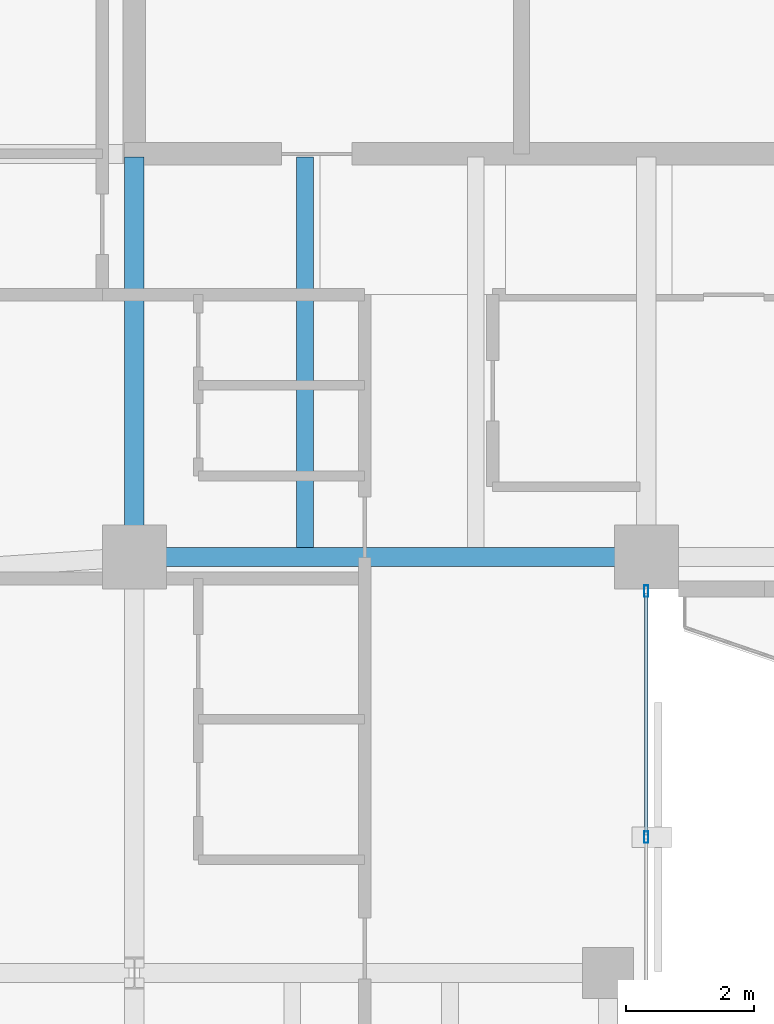
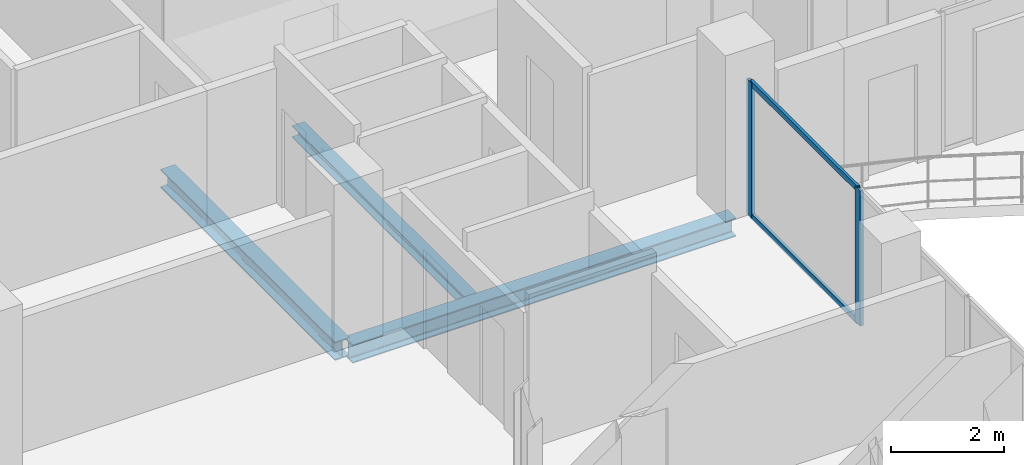
# One storey, part 10 of 23: 4 members, 3 beams, 1 element without a shape of its own.
"""IFC4 building model written with IfcOpenShell, lengths in metres."""

from ifc_helpers import new_model, si_unit, direction, frame, origin, origin_2d, place, context, subcontext, project, spatial, hollow_rectangle, i_section, extrude, material, layer, layer_set, material_profile, profile_set, type_object, element, aggregate, save


model = new_model("IFC4")

# Units and contexts
model_context = context("Model", 3, precision=1e-05, world=origin(), true_north=direction((0.0, 1.0)))
body_context = subcontext(model_context, "Body", "Model", "MODEL_VIEW")
ifc_project = project(units=[si_unit("LENGTHUNIT", "METRE"), si_unit("AREAUNIT", "SQUARE_METRE"), si_unit("VOLUMEUNIT", "CUBIC_METRE"), si_unit("PLANEANGLEUNIT", "RADIAN"), si_unit("MASSUNIT", "GRAM", prefix="KILO")], contexts=[model_context])

# Site, building, storey
site_placement = place(None, origin())
site = spatial("IfcSite", under=ifc_project, at=site_placement, CompositionType="ELEMENT")
building_placement = place(site_placement, origin())
building = spatial("IfcBuilding", under=site, at=building_placement, Name="Catumbela Crestline Tower", CompositionType="ELEMENT")
storey_placement = place(building_placement, frame((0.0, 0.0, 183.0)))
storey = spatial("IfcBuildingStorey", under=building, at=storey_placement, Name="L47", CompositionType="ELEMENT", Elevation=183.0)

# Beams
ifc_material_1 = material(Name="Structural steel S355J2", Category="steel")
ifc_material_profile_1 = material_profile(ifc_material_1, i_section(OverallWidth=0.3, OverallDepth=0.4, WebThickness=0.0135, FlangeThickness=0.024, FilletRadius=0.027, at=origin_2d()), Name="HEB 400")
ifc_profile_set_1 = profile_set([ifc_material_profile_1], Name="Structural steel S355J2")
beam_type_1 = type_object("IfcBeamType", Name="BG-HEB400", PredefinedType="BEAM", material=ifc_profile_set_1)
beam_1_placement = place(storey_placement, frame((16.08, 24.5, -0.46), z_axis=(1.0, 0.0, 0.0), x_axis=(0.0, 1.0, 0.0)))
element("IfcBeam", 1, at=beam_1_placement, inside=storey, type_object=beam_type_1, Name="L47 Beam BM-L47-S03", PredefinedType="BEAM", context=body_context, shape_type="SweptSolid", body=[
    extrude(i_section(OverallWidth=0.3, OverallDepth=0.4, WebThickness=0.0135, FlangeThickness=0.024, FilletRadius=0.027, at=origin_2d()), origin(), (0.0, 0.0, 1.0), 7.84),
])
beam_2_placement = place(storey_placement, frame((16.0, 24.58, -0.46), z_axis=(0.0, 1.0, 0.0), x_axis=(-1.0, 0.0, 0.0)))
element("IfcBeam", 2, at=beam_2_placement, inside=storey, type_object=beam_type_1, Name="L47 Beam BM-L47-SNS17", PredefinedType="BEAM", context=body_context, shape_type="SweptSolid", body=[
    extrude(i_section(OverallWidth=0.3, OverallDepth=0.4, WebThickness=0.0135, FlangeThickness=0.024, FilletRadius=0.027, at=origin_2d()), origin(), (0.0, 0.0, 1.0), 6.17),
])
ifc_material_profile_2 = material_profile(ifc_material_1, i_section(OverallWidth=0.26, OverallDepth=0.25, WebThickness=0.0075, FlangeThickness=0.0125, FilletRadius=0.024, at=origin_2d()), Name="HEA 260")
ifc_profile_set_2 = profile_set([ifc_material_profile_2], Name="Structural steel S355J2")
beam_type_2 = type_object("IfcBeamType", Name="BJ-HEA260", PredefinedType="JOIST", material=ifc_profile_set_2)
beam_3_placement = place(storey_placement, frame((18.667, 24.647, -0.385), z_axis=(0.0, 1.0, 0.0), x_axis=(-1.0, 0.0, 0.0)))
element("IfcBeam", 3, at=beam_3_placement, inside=storey, type_object=beam_type_2, Name="L47 Joist JS-L47-SP26", PredefinedType="JOIST", context=body_context, shape_type="SweptSolid", body=[
    extrude(i_section(OverallWidth=0.26, OverallDepth=0.25, WebThickness=0.0075, FlangeThickness=0.0125, FilletRadius=0.024, at=origin_2d()), origin(), (0.0, 0.0, 1.0), 6.103),
])

# Curtain wall, members
ifc_material_2 = material(Name="Aluminium alloy AW-6060-T66", Category="aluminium")
ifc_layer = layer(ifc_material_2, 0.18, Name="Aluminium alloy AW-6060-T66")
ifc_layer_set = layer_set([ifc_layer], Name="Aluminium alloy AW-6060-T66")
curtain_wall_type = type_object("IfcCurtainWallType", Name="CWU-Z3", PredefinedType="USERDEFINED", material=ifc_layer_set)
curtain_wall_placement = place(storey_placement, origin())
curtain_wall = element("IfcCurtainWall", 4, at=curtain_wall_placement, inside=storey, type_object=curtain_wall_type, Name="L47 Unitised Curtain Wall CW-L47-E2S1", ObjectType="UNITISED", PredefinedType="USERDEFINED")
ifc_material_profile_3 = material_profile(ifc_material_2, hollow_rectangle(XDim=0.065, YDim=0.18, WallThickness=0.004, at=origin_2d()), Name="ALU 180x65x4")
ifc_profile_set_3 = profile_set([ifc_material_profile_3], Name="Aluminium alloy AW-6060-T66")
member_type_1 = type_object("IfcMemberType", Name="MUL-180X65", PredefinedType="MULLION", material=ifc_profile_set_3)
member_1_placement = place(storey_placement, frame((24.0, 20.125, 0.0), z_axis=(0.0, 0.0, 1.0), x_axis=(-1.0, 0.0, 0.0)))
member_1 = element("IfcMember", 5, at=member_1_placement, type_object=member_type_1, Name="CWU-Z3 mullion 4", PredefinedType="MULLION", context=body_context, shape_type="SweptSolid", body=[
    extrude(hollow_rectangle(XDim=0.065, YDim=0.18, WallThickness=0.004, at=origin_2d()), origin(), (0.0, 0.0, 1.0), 2.92),
])
member_2_placement = place(storey_placement, frame((24.0, 23.9675, 0.0), z_axis=(0.0, 0.0, 1.0), x_axis=(-1.0, 0.0, 0.0)))
member_2 = element("IfcMember", 6, at=member_2_placement, type_object=member_type_1, Name="CWU-Z3 mullion 5", PredefinedType="MULLION", context=body_context, shape_type="SweptSolid", body=[
    extrude(hollow_rectangle(XDim=0.065, YDim=0.18, WallThickness=0.004, at=origin_2d()), origin(), (0.0, 0.0, 1.0), 2.92),
])
ifc_material_profile_4 = material_profile(ifc_material_2, hollow_rectangle(XDim=0.06, YDim=0.12, WallThickness=0.0035, at=origin_2d()), Name="ALU 120x60x3.5")
ifc_profile_set_4 = profile_set([ifc_material_profile_4], Name="Aluminium alloy AW-6060-T66")
member_type_2 = type_object("IfcMemberType", Name="TRN-120X60", PredefinedType="USERDEFINED", material=ifc_profile_set_4)
member_3_placement = place(storey_placement, frame((24.0, 20.1575, 0.03), z_axis=(0.0, 1.0, 0.0), x_axis=(-1.0, 0.0, 0.0)))
member_3 = element("IfcMember", 7, at=member_3_placement, type_object=member_type_2, Name="CWU-Z3 transom 4.1", ObjectType="TRANSOM", PredefinedType="USERDEFINED", context=body_context, shape_type="SweptSolid", body=[
    extrude(hollow_rectangle(XDim=0.06, YDim=0.12, WallThickness=0.0035, at=origin_2d()), origin(), (0.0, 0.0, 1.0), 3.7775),
])
member_4_placement = place(storey_placement, frame((24.0, 20.1575, 2.89), z_axis=(0.0, 1.0, 0.0), x_axis=(-1.0, 0.0, 0.0)))
member_4 = element("IfcMember", 8, at=member_4_placement, type_object=member_type_2, Name="CWU-Z3 transom 4.2", ObjectType="TRANSOM", PredefinedType="USERDEFINED", context=body_context, shape_type="SweptSolid", body=[
    extrude(hollow_rectangle(XDim=0.06, YDim=0.12, WallThickness=0.0035, at=origin_2d()), origin(), (0.0, 0.0, 1.0), 3.7775),
])
aggregate(curtain_wall, [member_1, member_2, member_3, member_4])

save(model, "model.ifc")
